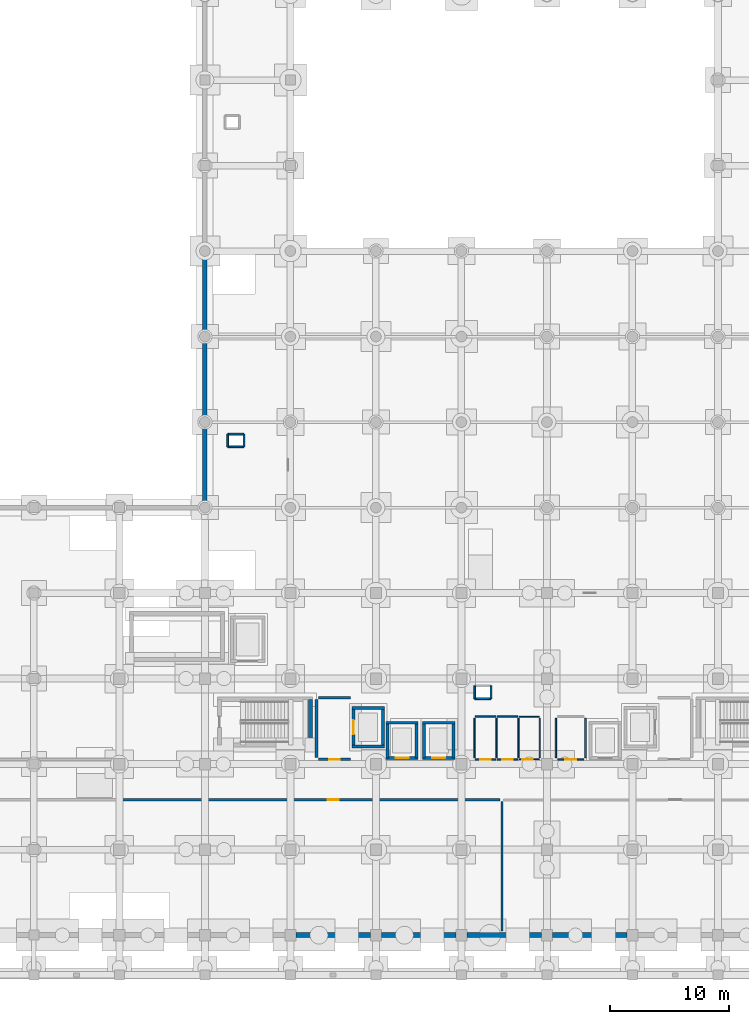
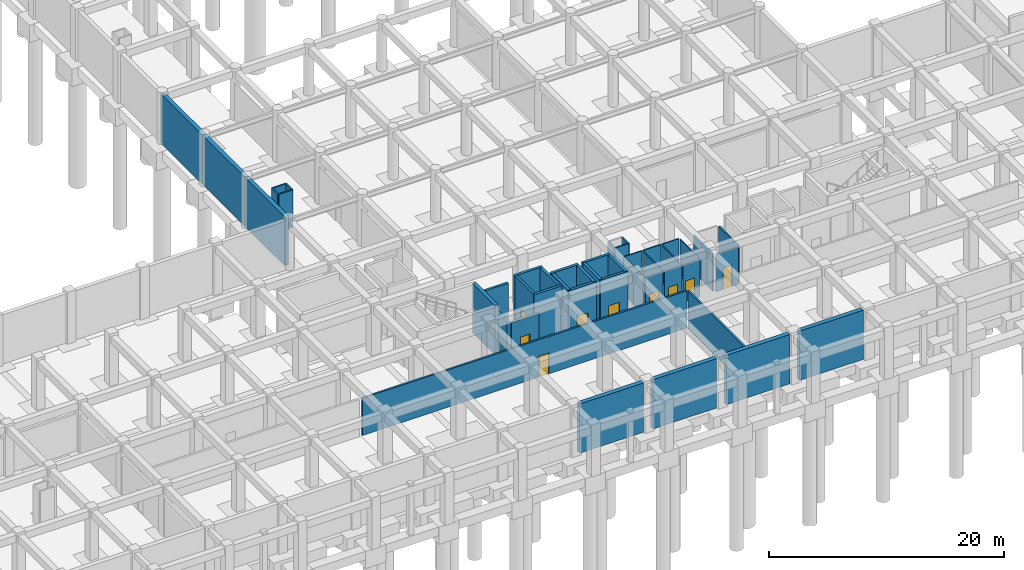
# One storey, part 14 of 26: 45 walls, 9 doors, 9 openings.
"""IFC4 building model written with IfcOpenShell, lengths in metres."""

from ifc_helpers import new_model, si_unit, direction, frame, frame_2d, origin, place, context, subcontext, project, spatial, rectangle, extrude, material, layer, layer_set, type_object, element, fill, save


model = new_model("IFC4")

# Units and contexts
model_context = context("Model", 3, precision=1e-05, world=origin(), true_north=direction((0.0, 1.0)))
body_context = subcontext(model_context, "Body", "Model", "MODEL_VIEW")
ifc_project = project(units=[si_unit("LENGTHUNIT", "METRE"), si_unit("AREAUNIT", "SQUARE_METRE"), si_unit("VOLUMEUNIT", "CUBIC_METRE"), si_unit("PLANEANGLEUNIT", "RADIAN"), si_unit("MASSUNIT", "GRAM", prefix="KILO")], contexts=[model_context])

# Site, building, storey
site_placement = place(None, origin())
site = spatial("IfcSite", under=ifc_project, at=site_placement, CompositionType="ELEMENT")
building_placement = place(site_placement, origin())
building = spatial("IfcBuilding", under=site, at=building_placement, Name="Kazehaya Institute of Natural Sciences", CompositionType="ELEMENT")
storey_placement = place(building_placement, frame((0.0, 0.0, -5.39990234375)))
storey = spatial("IfcBuildingStorey", under=building, at=storey_placement, Name="B1", CompositionType="ELEMENT", Elevation=-5.39990234375)

# Wall
ifc_material_1 = material(Name="Concrete Fc42", Category="concrete")
ifc_layer_1 = layer(ifc_material_1, 0.35009765625, Name="Concrete Fc42", Category="concrete")
ifc_layer_set_1 = layer_set([ifc_layer_1], Name="Concrete Fc42")
wall_type_1 = type_object("IfcWallType", Name="WL-CORE-350", PredefinedType="SHEAR", material=ifc_layer_set_1)
wall_1_placement = place(storey_placement, frame((70.679931640625, 26.659912109375, 0.0), z_axis=(0.0, 0.0, 1.0), x_axis=(0.0, -1.0, 0.0)))
element("IfcWall", 1, at=wall_1_placement, inside=storey, type_object=wall_type_1, Name="B1 ST-1 core wall E", PredefinedType="SHEAR", context=body_context, shape_type="SweptSolid", body=[
    extrude(rectangle(XDim=3.83984375, YDim=0.35009765625, at=frame_2d((1.919921875, 0.0))), origin(), (0.0, 0.0, 1.0), 5.119873046875),
])

# Wall, opening, door
ifc_material_2 = material(Name="Concrete Fc36", Category="concrete")
ifc_layer_2 = layer(ifc_material_2, 0.22998046875, Name="Concrete Fc36", Category="concrete")
ifc_layer_set_2 = layer_set([ifc_layer_2], Name="Concrete Fc36")
wall_type_2 = type_object("IfcWallType", Name="WL-FFL-230", PredefinedType="PARTITIONING", material=ifc_layer_set_2)
wall_2_placement = place(storey_placement, frame((74.050048828125, 21.60009765625, 0.0), z_axis=(0.0, 0.0, 1.0), x_axis=(-1.0, 0.0, 0.0)))
wall_2 = element("IfcWall", 2, at=wall_2_placement, inside=storey, type_object=wall_type_2, Name="B1 West Firefighting Lift Lobby partition IW-B1-0001", PredefinedType="PARTITIONING", context=body_context, shape_type="SweptSolid", body=[
    extrude(rectangle(XDim=2.699951171875, YDim=0.22998046875, at=frame_2d((1.35009765625, 0.0))), origin(), (0.0, 0.0, 1.0), 3.8798828125),
])
opening_1_placement = place(wall_2_placement, frame((0.89990234375, 0.0, 0.0)))
opening_1 = element("IfcOpeningElement", 3, at=opening_1_placement, cuts=wall_2, Name="Opening D-B1-0038", PredefinedType="OPENING", context=body_context, shape_type="SweptSolid", body=[
    extrude(rectangle(XDim=0.89990234375, YDim=2.06005859375, at=frame_2d((0.449951171875, 1.030029296875))), frame((0.0, 0.125, 0.0), z_axis=(0.0, -1.0, 0.0), x_axis=(1.0, 0.0, 0.0)), (0.0, 0.0, 1.0), 0.25),
])
ifc_material_3 = material(Name="Fire-rated steel acoustic door", Category="steel")
door_type_1 = type_object("IfcDoorType", Name="DT-FD-01", OperationType="NOTDEFINED", PredefinedType="DOOR", material=ifc_material_3)
door_1_placement = place(opening_1_placement, origin())
door_1 = element("IfcDoor", 4, at=door_1_placement, inside=storey, type_object=door_type_1, Name="B1 West Firefighting Lift Lobby door D-B1-0038", OperationType="SINGLE_SWING_RIGHT", OverallHeight=2.06005859375, OverallWidth=0.89990234375, PredefinedType="DOOR", context=body_context, shape_type="SweptSolid", body=[
    extrude(rectangle(XDim=0.89990234375, YDim=2.06005859375, at=frame_2d((0.449951171875, 1.030029296875))), frame((0.0, 0.02490234375, 0.0), z_axis=(0.0, -1.0, 0.0), x_axis=(1.0, 0.0, 0.0)), (0.0, 0.0, 1.0), 0.050048828125),
])
fill(opening_1, door_1)

# Walls
wall_3_placement = place(storey_placement, frame((71.35009765625, 26.800048828125, 0.0), z_axis=(0.0, 0.0, 1.0), x_axis=(1.0, 0.0, 0.0)))
element("IfcWall", 5, at=wall_3_placement, inside=storey, type_object=wall_type_2, Name="B1 West Firefighting Lift Lobby partition IW-B1-0002", PredefinedType="PARTITIONING", context=body_context, shape_type="SweptSolid", body=[
    extrude(rectangle(XDim=2.699951171875, YDim=0.22998046875, at=frame_2d((1.35009765625, 0.0))), origin(), (0.0, 0.0, 1.0), 3.8798828125),
])
wall_4_placement = place(storey_placement, frame((71.199951171875, 21.75, 0.0), z_axis=(0.0, 0.0, 1.0), x_axis=(0.0, 1.0, 0.0)))
element("IfcWall", 6, at=wall_4_placement, inside=storey, type_object=wall_type_2, Name="B1 West Firefighting Lift Lobby partition IW-B1-0003", PredefinedType="PARTITIONING", context=body_context, shape_type="SweptSolid", body=[
    extrude(rectangle(XDim=4.89990234375, YDim=0.22998046875, at=frame_2d((2.449951171875, 0.0))), origin(), (0.0, 0.0, 1.0), 3.8798828125),
])

# Wall, opening, door
ifc_material_4 = material(Name="Lightweight chase partition")
ifc_layer_3 = layer(ifc_material_4, 0.10009765625, Name="Lightweight chase partition")
ifc_layer_set_3 = layer_set([ifc_layer_3], Name="Lightweight chase partition")
wall_type_3 = type_object("IfcWallType", Name="WL-PART-100", PredefinedType="PARTITIONING", material=ifc_layer_set_3)
wall_5_placement = place(storey_placement, frame((89.93994140625, 21.60009765625, 0.0), z_axis=(0.0, 0.0, 1.0), x_axis=(-1.0, 0.0, 0.0)))
wall_5 = element("IfcWall", 7, at=wall_5_placement, inside=storey, type_object=wall_type_3, Name="B1 Accessible WC partition IW-B1-0014", PredefinedType="PARTITIONING", context=body_context, shape_type="SweptSolid", body=[
    extrude(rectangle(XDim=1.679931640625, YDim=0.10009765625, at=frame_2d((0.83984375, 0.0))), origin(), (0.0, 0.0, 1.0), 3.8798828125),
])
opening_2_placement = place(wall_5_placement, frame((0.5400390625, 0.0, 0.0)))
opening_2 = element("IfcOpeningElement", 8, at=opening_2_placement, cuts=wall_5, Name="Opening D-B1-0042", PredefinedType="OPENING", context=body_context, shape_type="SweptSolid", body=[
    extrude(rectangle(XDim=0.89990234375, YDim=2.159912109375, at=frame_2d((0.449951171875, 1.080078125))), frame((0.0, 0.06005859375, 0.0), z_axis=(0.0, -1.0, 0.0), x_axis=(1.0, 0.0, 0.0)), (0.0, 0.0, 1.0), 0.1201171875),
])
ifc_material_5 = material(Name="Flush timber and aluminium laboratory door", Category="wood")
door_type_2 = type_object("IfcDoorType", Name="DT-INT-03", OperationType="NOTDEFINED", PredefinedType="DOOR", material=ifc_material_5)
door_2_placement = place(opening_2_placement, origin())
door_2 = element("IfcDoor", 9, at=door_2_placement, inside=storey, type_object=door_type_2, Name="B1 Accessible WC door D-B1-0042", OperationType="SINGLE_SWING_RIGHT", OverallHeight=2.159912109375, OverallWidth=0.89990234375, PredefinedType="DOOR", context=body_context, shape_type="SweptSolid", body=[
    extrude(rectangle(XDim=0.89990234375, YDim=2.159912109375, at=frame_2d((0.449951171875, 1.080078125))), frame((0.0, 0.02490234375, 0.0), z_axis=(0.0, -1.0, 0.0), x_axis=(1.0, 0.0, 0.0)), (0.0, 0.0, 1.0), 0.050048828125),
])
fill(opening_2, door_2)

# Walls
wall_6_placement = place(storey_placement, frame((88.260009765625, 25.199951171875, 0.0), z_axis=(0.0, 0.0, 1.0), x_axis=(1.0, 0.0, 0.0)))
element("IfcWall", 10, at=wall_6_placement, inside=storey, type_object=wall_type_3, Name="B1 Accessible WC partition IW-B1-0015", PredefinedType="PARTITIONING", context=body_context, shape_type="SweptSolid", body=[
    extrude(rectangle(XDim=1.679931640625, YDim=0.10009765625, at=frame_2d((0.83984375, 0.0))), origin(), (0.0, 0.0, 1.0), 3.8798828125),
])
wall_7_placement = place(storey_placement, frame((90.0, 25.050048828125, 0.0), z_axis=(0.0, 0.0, 1.0), x_axis=(0.0, -1.0, 0.0)))
element("IfcWall", 11, at=wall_7_placement, inside=storey, type_object=wall_type_3, Name="B1 Accessible WC partition IW-B1-0016", PredefinedType="PARTITIONING", context=body_context, shape_type="SweptSolid", body=[
    extrude(rectangle(XDim=3.300048828125, YDim=0.10009765625, at=frame_2d((1.64990234375, 0.0))), origin(), (0.0, 0.0, 1.0), 3.8798828125),
])

# Wall, opening, door
ifc_material_6 = material(Name="Glazed office demountable partition")
ifc_layer_4 = layer(ifc_material_6, 0.110107421875, Name="Glazed office demountable partition")
ifc_layer_set_4 = layer_set([ifc_layer_4], Name="Glazed office demountable partition")
wall_type_4 = type_object("IfcWallType", Name="WL-PART-110", PredefinedType="PARTITIONING", material=ifc_layer_set_4)
wall_8_placement = place(storey_placement, frame((88.139892578125, 21.60009765625, 0.0), z_axis=(0.0, 0.0, 1.0), x_axis=(-1.0, 0.0, 0.0)))
wall_8 = element("IfcWall", 12, at=wall_8_placement, inside=storey, type_object=wall_type_4, Name="B1 Female WC partition IW-B1-0011", PredefinedType="PARTITIONING", context=body_context, shape_type="SweptSolid", body=[
    extrude(rectangle(XDim=1.72998046875, YDim=0.110107421875, at=frame_2d((0.864990234375, 0.0))), origin(), (0.0, 0.0, 1.0), 3.8798828125),
])
opening_3_placement = place(wall_8_placement, frame((0.419921875, 0.0, 0.0)))
opening_3 = element("IfcOpeningElement", 13, at=opening_3_placement, cuts=wall_8, Name="Opening D-B1-0041", PredefinedType="OPENING", context=body_context, shape_type="SweptSolid", body=[
    extrude(rectangle(XDim=0.89990234375, YDim=2.10009765625, at=frame_2d((0.449951171875, 1.050048828125))), frame((0.0, 0.06494140625, 0.0), z_axis=(0.0, -1.0, 0.0), x_axis=(1.0, 0.0, 0.0)), (0.0, 0.0, 1.0), 0.130126953125),
])
door_type_3 = type_object("IfcDoorType", Name="DT-INT-02", OperationType="NOTDEFINED", PredefinedType="DOOR", material=ifc_material_5)
door_3_placement = place(opening_3_placement, origin())
door_3 = element("IfcDoor", 14, at=door_3_placement, inside=storey, type_object=door_type_3, Name="B1 Female WC door D-B1-0041", OperationType="SINGLE_SWING_LEFT", OverallHeight=2.10009765625, OverallWidth=0.89990234375, PredefinedType="DOOR", context=body_context, shape_type="SweptSolid", body=[
    extrude(rectangle(XDim=0.89990234375, YDim=2.10009765625, at=frame_2d((0.449951171875, 1.050048828125))), frame((0.0, 0.02490234375, 0.0), z_axis=(0.0, -1.0, 0.0), x_axis=(1.0, 0.0, 0.0)), (0.0, 0.0, 1.0), 0.050048828125),
])
fill(opening_3, door_3)

# Walls
wall_9_placement = place(storey_placement, frame((86.409912109375, 25.199951171875, 0.0), z_axis=(0.0, 0.0, 1.0), x_axis=(1.0, 0.0, 0.0)))
element("IfcWall", 15, at=wall_9_placement, inside=storey, type_object=wall_type_4, Name="B1 Female WC partition IW-B1-0012", PredefinedType="PARTITIONING", context=body_context, shape_type="SweptSolid", body=[
    extrude(rectangle(XDim=1.72998046875, YDim=0.110107421875, at=frame_2d((0.864990234375, 0.0))), origin(), (0.0, 0.0, 1.0), 3.8798828125),
])
wall_10_placement = place(storey_placement, frame((88.199951171875, 25.050048828125, 0.0), z_axis=(0.0, 0.0, 1.0), x_axis=(0.0, -1.0, 0.0)))
element("IfcWall", 16, at=wall_10_placement, inside=storey, type_object=wall_type_4, Name="B1 Female WC partition IW-B1-0013", PredefinedType="PARTITIONING", context=body_context, shape_type="SweptSolid", body=[
    extrude(rectangle(XDim=3.300048828125, YDim=0.110107421875, at=frame_2d((1.64990234375, 0.0))), origin(), (0.0, 0.0, 1.0), 3.8798828125),
])

# Wall, opening, door
ifc_material_7 = material(Name="Gypsum write-up office partition", Category="gypsum")
ifc_layer_5 = layer(ifc_material_7, 0.1201171875, Name="Gypsum write-up office partition", Category="gypsum")
ifc_layer_set_5 = layer_set([ifc_layer_5], Name="Gypsum write-up office partition")
wall_type_5 = type_object("IfcWallType", Name="WL-PART-120", PredefinedType="PARTITIONING", material=ifc_layer_set_5)
wall_11_placement = place(storey_placement, frame((86.2900390625, 21.60009765625, 0.0), z_axis=(0.0, 0.0, 1.0), x_axis=(-1.0, 0.0, 0.0)))
wall_11 = element("IfcWall", 17, at=wall_11_placement, inside=storey, type_object=wall_type_5, Name="B1 Male WC partition IW-B1-0007", PredefinedType="PARTITIONING", context=body_context, shape_type="SweptSolid", body=[
    extrude(rectangle(XDim=1.72998046875, YDim=0.1201171875, at=frame_2d((0.864990234375, 0.0))), origin(), (0.0, 0.0, 1.0), 3.8798828125),
])
opening_4_placement = place(wall_11_placement, frame((0.419921875, 0.0, 0.0)))
opening_4 = element("IfcOpeningElement", 18, at=opening_4_placement, cuts=wall_11, Name="Opening D-B1-0040", PredefinedType="OPENING", context=body_context, shape_type="SweptSolid", body=[
    extrude(rectangle(XDim=0.89990234375, YDim=2.050048828125, at=frame_2d((0.449951171875, 1.02490234375))), frame((0.0, 0.070068359375, 0.0), z_axis=(0.0, -1.0, 0.0), x_axis=(1.0, 0.0, 0.0)), (0.0, 0.0, 1.0), 0.14013671875),
])
door_type_4 = type_object("IfcDoorType", Name="DT-INT-01", OperationType="NOTDEFINED", PredefinedType="DOOR", material=ifc_material_5)
door_4_placement = place(opening_4_placement, origin())
door_4 = element("IfcDoor", 19, at=door_4_placement, inside=storey, type_object=door_type_4, Name="B1 Male WC door D-B1-0040", OperationType="SINGLE_SWING_RIGHT", OverallHeight=2.050048828125, OverallWidth=0.89990234375, PredefinedType="DOOR", context=body_context, shape_type="SweptSolid", body=[
    extrude(rectangle(XDim=0.89990234375, YDim=2.050048828125, at=frame_2d((0.449951171875, 1.02490234375))), frame((0.0, 0.02490234375, 0.0), z_axis=(0.0, -1.0, 0.0), x_axis=(1.0, 0.0, 0.0)), (0.0, 0.0, 1.0), 0.050048828125),
])
fill(opening_4, door_4)

# Walls
wall_12_placement = place(storey_placement, frame((84.56005859375, 25.199951171875, 0.0), z_axis=(0.0, 0.0, 1.0), x_axis=(1.0, 0.0, 0.0)))
element("IfcWall", 20, at=wall_12_placement, inside=storey, type_object=wall_type_5, Name="B1 Male WC partition IW-B1-0008", PredefinedType="PARTITIONING", context=body_context, shape_type="SweptSolid", body=[
    extrude(rectangle(XDim=1.72998046875, YDim=0.1201171875, at=frame_2d((0.864990234375, 0.0))), origin(), (0.0, 0.0, 1.0), 3.8798828125),
])
for number, where, z_axis, x_axis, name in (
    (21, (84.5, 21.75, 0.0), (0.0, 0.0, 1.0), (0.0, 1.0, 0.0), "B1 Male WC partition IW-B1-0009"),
    (22, (86.35009765625, 25.050048828125, 0.0), (0.0, 0.0, 1.0), (0.0, -1.0, 0.0), "B1 Male WC partition IW-B1-0010"),
):
    element("IfcWall", number, at=place(storey_placement, frame(where, z_axis=z_axis, x_axis=x_axis)), inside=storey, type_object=wall_type_5, Name=name, PredefinedType="PARTITIONING", context=body_context, shape_type="SweptSolid", body=[
        extrude(rectangle(XDim=3.300048828125, YDim=0.1201171875, at=frame_2d((1.64990234375, 0.0))), origin(), (0.0, 0.0, 1.0), 3.8798828125),
    ])

# Wall, opening, door
ifc_material_8 = material(Name="Gypsum partition", Category="gypsum")
ifc_layer_6 = layer(ifc_material_8, 0.139892578125, Name="Gypsum partition", Category="gypsum")
ifc_layer_set_6 = layer_set([ifc_layer_6], Name="Gypsum partition")
wall_type_6 = type_object("IfcWallType", Name="WL-PART-140", PredefinedType="PARTITIONING", material=ifc_layer_set_6)
wall_13_placement = place(storey_placement, frame((93.699951171875, 21.60009765625, 0.0), z_axis=(0.0, 0.0, 1.0), x_axis=(-1.0, 0.0, 0.0)))
wall_13 = element("IfcWall", 23, at=wall_13_placement, inside=storey, type_object=wall_type_6, Name="B1 Ostomate WC partition IW-B1-0017", PredefinedType="PARTITIONING", context=body_context, shape_type="SweptSolid", body=[
    extrude(rectangle(XDim=2.199951171875, YDim=0.139892578125, at=frame_2d((1.10009765625, 0.0))), origin(), (0.0, 0.0, 1.0), 3.8798828125),
])
opening_5_placement = place(wall_13_placement, frame((0.64990234375, 0.0, 0.0)))
opening_5 = element("IfcOpeningElement", 24, at=opening_5_placement, cuts=wall_13, Name="Opening D-B1-0043", PredefinedType="OPENING", context=body_context, shape_type="SweptSolid", body=[
    extrude(rectangle(XDim=0.89990234375, YDim=2.219970703125, at=frame_2d((0.449951171875, 1.10986328125))), frame((0.0, 0.079833984375, 0.0), z_axis=(0.0, -1.0, 0.0), x_axis=(1.0, 0.0, 0.0)), (0.0, 0.0, 1.0), 0.159912109375),
])
door_type_5 = type_object("IfcDoorType", Name="DT-INT-04", OperationType="NOTDEFINED", PredefinedType="DOOR", material=ifc_material_5)
door_5_placement = place(opening_5_placement, origin())
door_5 = element("IfcDoor", 25, at=door_5_placement, inside=storey, type_object=door_type_5, Name="B1 Ostomate WC door D-B1-0043", OperationType="SINGLE_SWING_LEFT", OverallHeight=2.219970703125, OverallWidth=0.89990234375, PredefinedType="DOOR", context=body_context, shape_type="SweptSolid", body=[
    extrude(rectangle(XDim=0.89990234375, YDim=2.219970703125, at=frame_2d((0.449951171875, 1.10986328125))), frame((0.0, 0.02490234375, 0.0), z_axis=(0.0, -1.0, 0.0), x_axis=(1.0, 0.0, 0.0)), (0.0, 0.0, 1.0), 0.050048828125),
])
fill(opening_5, door_5)

# Walls
for number, where, z_axis, x_axis, name in (
    (26, (91.35009765625, 21.75, 0.0), (0.0, 0.0, 1.0), (0.0, 1.0, 0.0), "B1 Ostomate WC partition IW-B1-0019"),
    (27, (93.85009765625, 25.050048828125, 0.0), (0.0, 0.0, 1.0), (0.0, -1.0, 0.0), "B1 Ostomate WC partition IW-B1-0020"),
):
    element("IfcWall", number, at=place(storey_placement, frame(where, z_axis=z_axis, x_axis=x_axis)), inside=storey, type_object=wall_type_6, Name=name, PredefinedType="PARTITIONING", context=body_context, shape_type="SweptSolid", body=[
        extrude(rectangle(XDim=3.300048828125, YDim=0.139892578125, at=frame_2d((1.64990234375, 0.0))), origin(), (0.0, 0.0, 1.0), 3.8798828125),
    ])

# Wall, opening, door
ifc_material_9 = material(Name="Cleanroom insulated metal partition")
ifc_layer_7 = layer(ifc_material_9, 0.179931640625, Name="Cleanroom insulated metal partition")
ifc_layer_set_7 = layer_set([ifc_layer_7], Name="Cleanroom insulated metal partition")
wall_type_7 = type_object("IfcWallType", Name="WL-PART-180", PredefinedType="PARTITIONING", material=ifc_layer_set_7)
wall_14_placement = place(storey_placement, frame((54.75, 18.199951171875, 0.0), z_axis=(0.0, 0.0, 1.0), x_axis=(1.0, 0.0, 0.0)))
wall_14 = element("IfcWall", 28, at=wall_14_placement, inside=storey, type_object=wall_type_7, Name="B1 Central Chilled Water Plant Room partition IW-B1-0025", PredefinedType="PARTITIONING", context=body_context, shape_type="SweptSolid", body=[
    extrude(rectangle(XDim=31.89990234375, YDim=0.179931640625, at=frame_2d((15.949951171875, 0.0))), origin(), (0.0, 0.0, 1.0), 3.8798828125),
])
opening_6_placement = place(wall_14_placement, frame((17.3798828125, 0.0, 0.0)))
opening_6 = element("IfcOpeningElement", 29, at=opening_6_placement, cuts=wall_14, Name="Opening D-B1-0047", PredefinedType="OPENING", context=body_context, shape_type="SweptSolid", body=[
    extrude(rectangle(XDim=0.93994140625, YDim=2.179931640625, at=frame_2d((0.469970703125, 1.08984375))), frame((0.0, 0.099853515625, 0.0), z_axis=(0.0, -1.0, 0.0), x_axis=(1.0, 0.0, 0.0)), (0.0, 0.0, 1.0), 0.199951171875),
])
door_type_6 = type_object("IfcDoorType", Name="DT-FD-06", OperationType="NOTDEFINED", PredefinedType="DOOR", material=ifc_material_3)
door_6_placement = place(opening_6_placement, origin())
door_6 = element("IfcDoor", 30, at=door_6_placement, inside=storey, type_object=door_type_6, Name="B1 Central Chilled Water Plant Room door D-B1-0047", OperationType="SINGLE_SWING_LEFT", OverallHeight=2.179931640625, OverallWidth=0.93994140625, PredefinedType="DOOR", context=body_context, shape_type="SweptSolid", body=[
    extrude(rectangle(XDim=0.93994140625, YDim=2.179931640625, at=frame_2d((0.469970703125, 1.08984375))), frame((0.0, 0.02490234375, 0.0), z_axis=(0.0, -1.0, 0.0), x_axis=(1.0, 0.0, 0.0)), (0.0, 0.0, 1.0), 0.050048828125),
])
fill(opening_6, door_6)

# Walls
wall_15_placement = place(storey_placement, frame((86.800048828125, 18.050048828125, 0.0), z_axis=(0.0, 0.0, 1.0), x_axis=(0.0, -1.0, 0.0)))
element("IfcWall", 31, at=wall_15_placement, inside=storey, type_object=wall_type_7, Name="B1 Central Chilled Water Plant Room partition IW-B1-0026", PredefinedType="PARTITIONING", context=body_context, shape_type="SweptSolid", body=[
    extrude(rectangle(XDim=10.900146484375, YDim=0.179931640625, at=frame_2d((5.4501953125, 0.0))), origin(), (0.0, 0.0, 1.0), 3.8798828125),
])
ifc_layer_8 = layer(ifc_material_1, 0.389892578125, Name="Concrete Fc42", Category="concrete")
ifc_layer_set_8 = layer_set([ifc_layer_8], Name="Concrete Fc42")
wall_type_8 = type_object("IfcWallType", Name="WL-RET-390", PredefinedType="USERDEFINED", material=ifc_layer_set_8)
wall_16_placement = place(storey_placement, frame((61.800048828125, 43.235107421875, 0.0), z_axis=(0.0, 0.0, 1.0), x_axis=(0.0, 1.0, 0.0)))
element("IfcWall", 32, at=wall_16_placement, inside=storey, type_object=wall_type_8, Name="B1 exterior wall EW-B1-0037", ObjectType="RETAININGWALL", PredefinedType="USERDEFINED", context=body_context, shape_type="SweptSolid", body=[
    extrude(rectangle(XDim=6.739990234375, YDim=0.389892578125, at=frame_2d((3.3701171875, 0.0))), origin(), (0.0, 0.0, 1.0), 5.119873046875),
])
wall_17_placement = place(storey_placement, frame((61.800048828125, 49.97509765625, 0.0), z_axis=(0.0, 0.0, 1.0), x_axis=(0.0, 1.0, 0.0)))
element("IfcWall", 33, at=wall_17_placement, inside=storey, type_object=wall_type_8, Name="B1 exterior wall EW-B1-0038", ObjectType="RETAININGWALL", PredefinedType="USERDEFINED", context=body_context, shape_type="SweptSolid", body=[
    extrude(rectangle(XDim=7.1748046875, YDim=0.389892578125, at=frame_2d((3.58740234375, 0.0))), origin(), (0.0, 0.0, 1.0), 5.119873046875),
])
wall_18_placement = place(storey_placement, frame((61.800048828125, 57.14990234375, 0.0), z_axis=(0.0, 0.0, 1.0), x_axis=(0.0, 1.0, 0.0)))
element("IfcWall", 34, at=wall_18_placement, inside=storey, type_object=wall_type_8, Name="B1 exterior wall EW-B1-0039", ObjectType="RETAININGWALL", PredefinedType="USERDEFINED", context=body_context, shape_type="SweptSolid", body=[
    extrude(rectangle(XDim=7.175048828125, YDim=0.389892578125, at=frame_2d((3.58740234375, 0.0))), origin(), (0.0, 0.0, 1.0), 5.119873046875),
])
ifc_layer_9 = layer(ifc_material_1, 0.419921875, Name="Concrete Fc42", Category="concrete")
ifc_layer_set_9 = layer_set([ifc_layer_9], Name="Concrete Fc42")
wall_type_9 = type_object("IfcWallType", Name="WL-RET-420", PredefinedType="USERDEFINED", material=ifc_layer_set_9)
wall_19_placement = place(storey_placement, frame((97.340087890625, 6.800048828125, 0.0), z_axis=(0.0, 0.0, 1.0), x_axis=(-1.0, 0.0, 0.0)))
element("IfcWall", 35, at=wall_19_placement, inside=storey, type_object=wall_type_9, Name="B1 exterior wall EW-B1-0011", ObjectType="RETAININGWALL", PredefinedType="USERDEFINED", context=body_context, shape_type="SweptSolid", body=[
    extrude(rectangle(XDim=6.280029296875, YDim=0.419921875, at=frame_2d((3.14013671875, 0.0))), origin(), (0.0, 0.0, 1.0), 5.119873046875),
])
wall_20_placement = place(storey_placement, frame((90.139892578125, 6.800048828125, 0.0), z_axis=(0.0, 0.0, 1.0), x_axis=(-1.0, 0.0, 0.0)))
element("IfcWall", 36, at=wall_20_placement, inside=storey, type_object=wall_type_9, Name="B1 exterior wall EW-B1-0012", ObjectType="RETAININGWALL", PredefinedType="USERDEFINED", context=body_context, shape_type="SweptSolid", body=[
    extrude(rectangle(XDim=6.27978515625, YDim=0.419921875, at=frame_2d((3.139892578125, 0.0))), origin(), (0.0, 0.0, 1.0), 5.119873046875),
])
for number, where, z_axis, x_axis, name in (
    (37, (82.93994140625, 6.800048828125, 0.0), (0.0, 0.0, 1.0), (-1.0, 0.0, 0.0), "B1 exterior wall EW-B1-0013"),
    (38, (75.739990234375, 6.800048828125, 0.0), (0.0, 0.0, 1.0), (-1.0, 0.0, 0.0), "B1 exterior wall EW-B1-0014"),
):
    element("IfcWall", number, at=place(storey_placement, frame(where, z_axis=z_axis, x_axis=x_axis)), inside=storey, type_object=wall_type_9, Name=name, ObjectType="RETAININGWALL", PredefinedType="USERDEFINED", context=body_context, shape_type="SweptSolid", body=[
        extrude(rectangle(XDim=6.280029296875, YDim=0.419921875, at=frame_2d((3.14013671875, 0.0))), origin(), (0.0, 0.0, 1.0), 5.119873046875),
    ])
ifc_layer_10 = layer(ifc_material_2, 0.14990234375, Name="Concrete Fc36", Category="concrete")
ifc_layer_set_10 = layer_set([ifc_layer_10], Name="Concrete Fc36")
wall_type_10 = type_object("IfcWallType", Name="WL-RISER-150", PredefinedType="PARTITIONING", material=ifc_layer_set_10)
wall_21_placement = place(storey_placement, frame((85.885009765625, 26.715087890625, 0.0), z_axis=(0.0, 0.0, 1.0), x_axis=(-1.0, 0.0, 0.0)))
element("IfcWall", 39, at=wall_21_placement, inside=storey, type_object=wall_type_10, Name="B1 fume exhaust riser shaft wall 3", PredefinedType="PARTITIONING", context=body_context, shape_type="SweptSolid", body=[
    extrude(rectangle(XDim=1.3701171875, YDim=0.14990234375, at=frame_2d((0.68505859375, 0.0))), origin(), (0.0, 0.0, 1.0), 3.8798828125),
])
for number, where, z_axis, x_axis, name in (
    (40, (84.514892578125, 26.715087890625, 0.0), (0.0, 0.0, 1.0), (0.0, 1.0, 0.0), "B1 fume exhaust riser shaft wall 3"),
    (41, (85.885009765625, 27.784912109375, 0.0), (0.0, 0.0, 1.0), (0.0, -1.0, 0.0), "B1 fume exhaust riser shaft wall 3"),
):
    element("IfcWall", number, at=place(storey_placement, frame(where, z_axis=z_axis, x_axis=x_axis)), inside=storey, type_object=wall_type_10, Name=name, PredefinedType="PARTITIONING", context=body_context, shape_type="SweptSolid", body=[
        extrude(rectangle(XDim=1.06982421875, YDim=0.14990234375, at=frame_2d((0.534912109375, 0.0))), origin(), (0.0, 0.0, 1.0), 3.8798828125),
    ])
for number, where, z_axis, x_axis, name in (
    (42, (65.0849609375, 47.9150390625, 0.0), (0.0, 0.0, 1.0), (-1.0, 0.0, 0.0), "B1 fume exhaust riser shaft wall 6"),
    (43, (63.715087890625, 48.985107421875, 0.0), (0.0, 0.0, 1.0), (1.0, 0.0, 0.0), "B1 fume exhaust riser shaft wall 6"),
):
    element("IfcWall", number, at=place(storey_placement, frame(where, z_axis=z_axis, x_axis=x_axis)), inside=storey, type_object=wall_type_10, Name=name, PredefinedType="PARTITIONING", context=body_context, shape_type="SweptSolid", body=[
        extrude(rectangle(XDim=1.369873046875, YDim=0.14990234375, at=frame_2d((0.68505859375, 0.0))), origin(), (0.0, 0.0, 1.0), 3.8798828125),
    ])
for number, where, z_axis, x_axis, name in (
    (44, (63.715087890625, 47.9150390625, 0.0), (0.0, 0.0, 1.0), (0.0, 1.0, 0.0), "B1 fume exhaust riser shaft wall 6"),
    (45, (65.0849609375, 48.985107421875, 0.0), (0.0, 0.0, 1.0), (0.0, -1.0, 0.0), "B1 fume exhaust riser shaft wall 6"),
):
    element("IfcWall", number, at=place(storey_placement, frame(where, z_axis=z_axis, x_axis=x_axis)), inside=storey, type_object=wall_type_10, Name=name, PredefinedType="PARTITIONING", context=body_context, shape_type="SweptSolid", body=[
        extrude(rectangle(XDim=1.070068359375, YDim=0.14990234375, at=frame_2d((0.53515625, 0.0))), origin(), (0.0, 0.0, 1.0), 3.8798828125),
    ])
ifc_layer_11 = layer(ifc_material_1, 0.25, Name="Concrete Fc42", Category="concrete")
ifc_layer_set_11 = layer_set([ifc_layer_11], Name="Concrete Fc42")
wall_type_11 = type_object("IfcWallType", Name="WL-SHAFT-250", PredefinedType="SHEAR", material=ifc_layer_set_11)
for number, where, z_axis, x_axis, name in (
    (46, (76.909912109375, 22.6650390625, 0.0), (0.0, 0.0, 1.0), (-1.0, 0.0, 0.0), "B1 EL07 lift shaft wall south"),
    (47, (74.18994140625, 25.93505859375, 0.0), (0.0, 0.0, 1.0), (1.0, 0.0, 0.0), "B1 EL07 lift shaft wall north"),
):
    element("IfcWall", number, at=place(storey_placement, frame(where, z_axis=z_axis, x_axis=x_axis)), inside=storey, type_object=wall_type_11, Name=name, PredefinedType="SHEAR", context=body_context, shape_type="SweptSolid", body=[
        extrude(rectangle(XDim=2.719970703125, YDim=0.25, at=frame_2d((1.35986328125, 0.0))), origin(), (0.0, 0.0, 1.0), 5.119873046875),
    ])

# Wall, opening, door
wall_22_placement = place(storey_placement, frame((74.31494140625, 22.6650390625, 0.0), z_axis=(0.0, 0.0, 1.0), x_axis=(0.0, 1.0, 0.0)))
wall_22 = element("IfcWall", 48, at=wall_22_placement, inside=storey, type_object=wall_type_11, Name="B1 EL07 lift shaft wall west", PredefinedType="SHEAR", context=body_context, shape_type="SweptSolid", body=[
    extrude(rectangle(XDim=3.27001953125, YDim=0.25, at=frame_2d((1.635009765625, 0.0))), origin(), (0.0, 0.0, 1.0), 5.119873046875),
])
opening_7_placement = place(wall_22_placement, frame((1.034912109375, 0.0, 0.0)))
opening_7 = element("IfcOpeningElement", 49, at=opening_7_placement, cuts=wall_22, Name="Opening LD-01", PredefinedType="OPENING", context=body_context, shape_type="SweptSolid", body=[
    extrude(rectangle(XDim=1.199951171875, YDim=2.25, at=frame_2d((0.60009765625, 1.125))), frame((0.0, 0.135009765625, 0.0), z_axis=(0.0, -1.0, 0.0), x_axis=(1.0, 0.0, 0.0)), (0.0, 0.0, 1.0), 0.27001953125),
])
ifc_material_10 = material(Name="Stainless-steel emergency lift landing door", Category="steel")
door_type_7 = type_object("IfcDoorType", Name="DT-LD-1200x2250", OperationType="SLIDING_TO_LEFT", PredefinedType="DOOR", material=ifc_material_10)
door_7_placement = place(opening_7_placement, origin())
door_7 = element("IfcDoor", 50, at=door_7_placement, inside=storey, type_object=door_type_7, Name="B1 EL07 sliding landing door LD-01", OperationType="SLIDING_TO_LEFT", OverallHeight=2.25, OverallWidth=1.199951171875, PredefinedType="DOOR", context=body_context, shape_type="SweptSolid", body=[
    extrude(rectangle(XDim=1.199951171875, YDim=2.25, at=frame_2d((0.60009765625, 1.125))), frame((0.0, 0.02490234375, 0.0), z_axis=(0.0, -1.0, 0.0), x_axis=(1.0, 0.0, 0.0)), (0.0, 0.0, 1.0), 0.050048828125),
])
fill(opening_7, door_7)

# Wall
wall_23_placement = place(storey_placement, frame((76.784912109375, 25.93505859375, 0.0), z_axis=(0.0, 0.0, 1.0), x_axis=(0.0, -1.0, 0.0)))
element("IfcWall", 51, at=wall_23_placement, inside=storey, type_object=wall_type_11, Name="B1 EL07 lift shaft wall east", PredefinedType="SHEAR", context=body_context, shape_type="SweptSolid", body=[
    extrude(rectangle(XDim=3.27001953125, YDim=0.25, at=frame_2d((1.635009765625, 0.0))), origin(), (0.0, 0.0, 1.0), 5.119873046875),
])

# Wall, opening, door
wall_24_placement = place(storey_placement, frame((79.760009765625, 21.715087890625, 0.0), z_axis=(0.0, 0.0, 1.0), x_axis=(-1.0, 0.0, 0.0)))
wall_24 = element("IfcWall", 52, at=wall_24_placement, inside=storey, type_object=wall_type_11, Name="B1 EL01 lift shaft wall south", PredefinedType="SHEAR", context=body_context, shape_type="SweptSolid", body=[
    extrude(rectangle(XDim=2.719970703125, YDim=0.25, at=frame_2d((1.35986328125, 0.0))), origin(), (0.0, 0.0, 1.0), 5.119873046875),
])
opening_8_placement = place(wall_24_placement, frame((0.81005859375, 0.0, 0.0)))
opening_8 = element("IfcOpeningElement", 53, at=opening_8_placement, cuts=wall_24, Name="Opening LD-23", PredefinedType="OPENING", context=body_context, shape_type="SweptSolid", body=[
    extrude(rectangle(XDim=1.10009765625, YDim=2.199951171875, at=frame_2d((0.550048828125, 1.10009765625))), frame((0.0, 0.135009765625, 0.0), z_axis=(0.0, -1.0, 0.0), x_axis=(1.0, 0.0, 0.0)), (0.0, 0.0, 1.0), 0.27001953125),
])
ifc_material_11 = material(Name="Stainless-steel sliding landing door", Category="steel")
door_type_8 = type_object("IfcDoorType", Name="DT-LD-1100x2200", OperationType="SLIDING_TO_LEFT", PredefinedType="DOOR", material=ifc_material_11)
door_8_placement = place(opening_8_placement, origin())
door_8 = element("IfcDoor", 54, at=door_8_placement, inside=storey, type_object=door_type_8, Name="B1 EL01 sliding landing door LD-23", OperationType="SLIDING_TO_LEFT", OverallHeight=2.199951171875, OverallWidth=1.10009765625, PredefinedType="DOOR", context=body_context, shape_type="SweptSolid", body=[
    extrude(rectangle(XDim=1.10009765625, YDim=2.199951171875, at=frame_2d((0.550048828125, 1.10009765625))), frame((0.0, 0.02490234375, 0.0), z_axis=(0.0, -1.0, 0.0), x_axis=(1.0, 0.0, 0.0)), (0.0, 0.0, 1.0), 0.050048828125),
])
fill(opening_8, door_8)

# Walls
wall_25_placement = place(storey_placement, frame((77.0400390625, 24.68505859375, 0.0), z_axis=(0.0, 0.0, 1.0), x_axis=(1.0, 0.0, 0.0)))
element("IfcWall", 55, at=wall_25_placement, inside=storey, type_object=wall_type_11, Name="B1 EL01 lift shaft wall north", PredefinedType="SHEAR", context=body_context, shape_type="SweptSolid", body=[
    extrude(rectangle(XDim=2.719970703125, YDim=0.25, at=frame_2d((1.35986328125, 0.0))), origin(), (0.0, 0.0, 1.0), 5.119873046875),
])
for number, where, z_axis, x_axis, name in (
    (56, (77.1650390625, 21.715087890625, 0.0), (0.0, 0.0, 1.0), (0.0, 1.0, 0.0), "B1 EL01 lift shaft wall west"),
    (57, (79.635009765625, 24.68505859375, 0.0), (0.0, 0.0, 1.0), (0.0, -1.0, 0.0), "B1 EL01 lift shaft wall east"),
):
    element("IfcWall", number, at=place(storey_placement, frame(where, z_axis=z_axis, x_axis=x_axis)), inside=storey, type_object=wall_type_11, Name=name, PredefinedType="SHEAR", context=body_context, shape_type="SweptSolid", body=[
        extrude(rectangle(XDim=2.969970703125, YDim=0.25, at=frame_2d((1.48486328125, 0.0))), origin(), (0.0, 0.0, 1.0), 5.119873046875),
    ])

# Wall, opening, door
wall_26_placement = place(storey_placement, frame((82.860107421875, 21.715087890625, 0.0), z_axis=(0.0, 0.0, 1.0), x_axis=(-1.0, 0.0, 0.0)))
wall_26 = element("IfcWall", 58, at=wall_26_placement, inside=storey, type_object=wall_type_11, Name="B1 EL02 lift shaft wall south", PredefinedType="SHEAR", context=body_context, shape_type="SweptSolid", body=[
    extrude(rectangle(XDim=2.72021484375, YDim=0.25, at=frame_2d((1.360107421875, 0.0))), origin(), (0.0, 0.0, 1.0), 5.119873046875),
])
opening_9_placement = place(wall_26_placement, frame((0.81005859375, 0.0, 0.0)))
opening_9 = element("IfcOpeningElement", 59, at=opening_9_placement, cuts=wall_26, Name="Opening LD-34", PredefinedType="OPENING", context=body_context, shape_type="SweptSolid", body=[
    extrude(rectangle(XDim=1.10009765625, YDim=2.199951171875, at=frame_2d((0.550048828125, 1.10009765625))), frame((0.0, 0.135009765625, 0.0), z_axis=(0.0, -1.0, 0.0), x_axis=(1.0, 0.0, 0.0)), (0.0, 0.0, 1.0), 0.27001953125),
])
door_9_placement = place(opening_9_placement, origin())
door_9 = element("IfcDoor", 60, at=door_9_placement, inside=storey, type_object=door_type_8, Name="B1 EL02 sliding landing door LD-34", OperationType="SLIDING_TO_LEFT", OverallHeight=2.199951171875, OverallWidth=1.10009765625, PredefinedType="DOOR", context=body_context, shape_type="SweptSolid", body=[
    extrude(rectangle(XDim=1.10009765625, YDim=2.199951171875, at=frame_2d((0.550048828125, 1.10009765625))), frame((0.0, 0.02490234375, 0.0), z_axis=(0.0, -1.0, 0.0), x_axis=(1.0, 0.0, 0.0)), (0.0, 0.0, 1.0), 0.050048828125),
])
fill(opening_9, door_9)

# Walls
wall_27_placement = place(storey_placement, frame((80.139892578125, 24.68505859375, 0.0), z_axis=(0.0, 0.0, 1.0), x_axis=(1.0, 0.0, 0.0)))
element("IfcWall", 61, at=wall_27_placement, inside=storey, type_object=wall_type_11, Name="B1 EL02 lift shaft wall north", PredefinedType="SHEAR", context=body_context, shape_type="SweptSolid", body=[
    extrude(rectangle(XDim=2.72021484375, YDim=0.25, at=frame_2d((1.360107421875, 0.0))), origin(), (0.0, 0.0, 1.0), 5.119873046875),
])
for number, where, z_axis, x_axis, name in (
    (62, (80.264892578125, 21.715087890625, 0.0), (0.0, 0.0, 1.0), (0.0, 1.0, 0.0), "B1 EL02 lift shaft wall west"),
    (63, (82.735107421875, 24.68505859375, 0.0), (0.0, 0.0, 1.0), (0.0, -1.0, 0.0), "B1 EL02 lift shaft wall east"),
):
    element("IfcWall", number, at=place(storey_placement, frame(where, z_axis=z_axis, x_axis=x_axis)), inside=storey, type_object=wall_type_11, Name=name, PredefinedType="SHEAR", context=body_context, shape_type="SweptSolid", body=[
        extrude(rectangle(XDim=2.969970703125, YDim=0.25, at=frame_2d((1.48486328125, 0.0))), origin(), (0.0, 0.0, 1.0), 5.119873046875),
    ])

save(model, "model.ifc")
